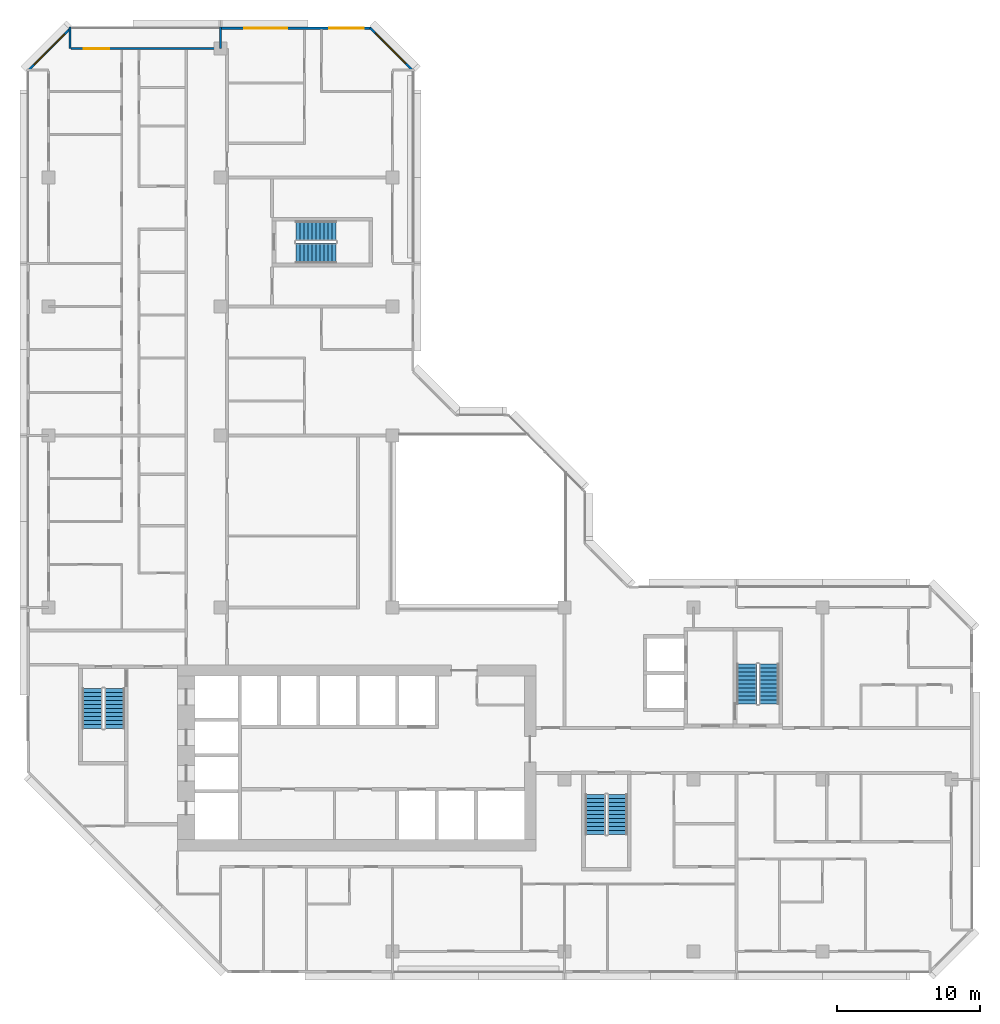
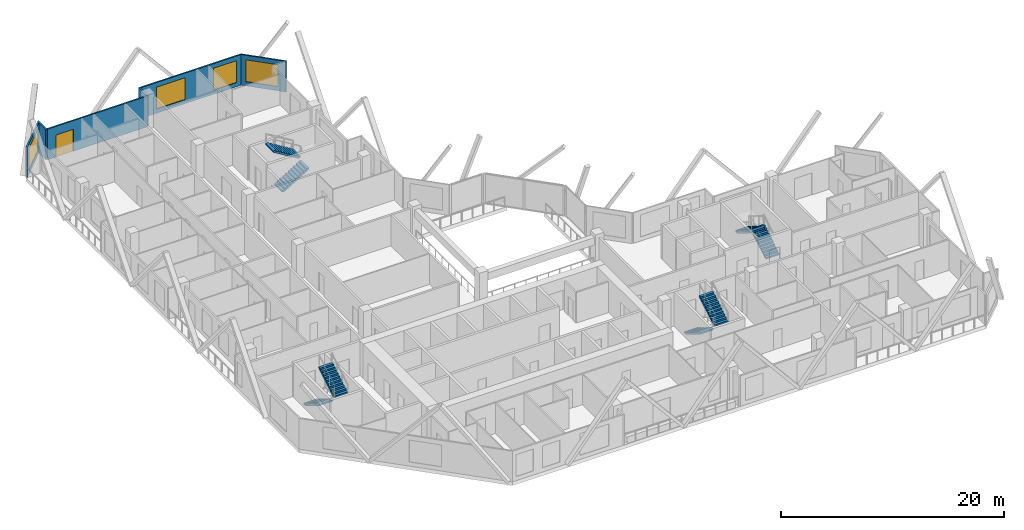
# One storey, part 13 of 15: 8 stair flights, 6 walls, 4 windows, 1 door, 5 openings, 4 elements without a shape of their own.
"""IFC4 building model written with IfcOpenShell, lengths in metres."""

from ifc_helpers import new_model, si_unit, direction, frame, frame_2d, origin, place, context, subcontext, project, spatial, polyline, rectangle, outline, extrude, material, layer, layer_set, type_object, element, fill, aggregate, save


model = new_model("IFC4")

# Units and contexts
model_context = context("Model", 3, precision=1e-05, world=origin(), true_north=direction((0.0, 1.0)))
body_context = subcontext(model_context, "Body", "Model", "MODEL_VIEW")
ifc_project = project(units=[si_unit("LENGTHUNIT", "METRE"), si_unit("AREAUNIT", "SQUARE_METRE"), si_unit("VOLUMEUNIT", "CUBIC_METRE"), si_unit("PLANEANGLEUNIT", "RADIAN"), si_unit("MASSUNIT", "GRAM", prefix="KILO")], contexts=[model_context])

# Site, building, storey
site_placement = place(None, origin())
site = spatial("IfcSite", under=ifc_project, at=site_placement, CompositionType="ELEMENT")
building_placement = place(site_placement, origin())
building = spatial("IfcBuilding", under=site, at=building_placement, Name="Chenar Terraces", CompositionType="ELEMENT")
storey_placement = place(building_placement, frame((0.0, 0.0, 172.39990234375)))
storey = spatial("IfcBuildingStorey", under=building, at=storey_placement, Name="L39", CompositionType="ELEMENT", Elevation=172.39990234375)

# Wall, openings, windows
ifc_material_1 = material(Name="Aluminium framed glazing", Category="aluminium")
ifc_layer_1 = layer(ifc_material_1, 0.14990234375)
ifc_layer_set_1 = layer_set([ifc_layer_1], Name="Aluminium framed glazing")
wall_type_1 = type_object("IfcWallType", Name="Glazed flush facade wall 150", PredefinedType="SOLIDWALL", material=ifc_layer_set_1)
wall_1_placement = place(storey_placement, frame((22.5, 64.425048828125, 0.0), z_axis=(0.0, 0.0, 1.0), x_axis=(-1.0, 0.0, 0.0)))
wall_1 = element("IfcWall", 1, at=wall_1_placement, inside=storey, type_object=wall_type_1, Name="Glazed flush facade wall", PredefinedType="SOLIDWALL", context=body_context, shape_type="SweptSolid", body=[
    extrude(rectangle(XDim=10.425048828125, YDim=0.14990234375, at=frame_2d((5.21240234375, 0.0))), origin(), (0.0, 0.0, 1.0), 3.35009765625),
])
opening_1_placement = place(wall_1_placement, frame((0.52490234375, 0.0, 0.449951171875)))
opening_1 = element("IfcOpeningElement", 2, at=opening_1_placement, cuts=wall_1, Name="Opening W240x240", PredefinedType="OPENING", context=body_context, shape_type="SweptSolid", body=[
    extrude(rectangle(XDim=2.39990234375, YDim=2.39990234375, at=frame_2d((1.199951171875, 1.199951171875))), frame((0.0, 0.0849609375, 0.0), z_axis=(0.0, -1.0, 0.0), x_axis=(1.0, 0.0, 0.0)), (0.0, 0.0, 1.0), 0.169921875),
])
opening_2_placement = place(wall_1_placement, frame((5.85009765625, 0.0, 0.449951171875)))
opening_2 = element("IfcOpeningElement", 3, at=opening_2_placement, cuts=wall_1, Name="Opening W300x240", PredefinedType="OPENING", context=body_context, shape_type="SweptSolid", body=[
    extrude(rectangle(XDim=3.0, YDim=2.39990234375, at=frame_2d((1.5, 1.199951171875))), frame((0.0, 0.0849609375, 0.0), z_axis=(0.0, -1.0, 0.0), x_axis=(1.0, 0.0, 0.0)), (0.0, 0.0, 1.0), 0.169921875),
])
ifc_material_2 = material(Name="Low emissivity double glazing, aluminium frame", Category="aluminium")
window_type_1 = type_object("IfcWindowType", Name="Fixed light 2400 x 2400", PartitioningType="SINGLE_PANEL", PredefinedType="WINDOW", material=ifc_material_2)
window_1_placement = place(opening_1_placement, origin())
window_1 = element("IfcWindow", 4, at=window_1_placement, inside=storey, type_object=window_type_1, Name="Window", OverallHeight=2.39990234375, OverallWidth=2.39990234375, PartitioningType="SINGLE_PANEL", PredefinedType="WINDOW", context=body_context, shape_type="SweptSolid", body=[
    extrude(rectangle(XDim=2.39990234375, YDim=2.39990234375, at=frame_2d((1.199951171875, 1.199951171875))), frame((0.0, 0.030029296875, 0.0), z_axis=(0.0, -1.0, 0.0), x_axis=(1.0, 0.0, 0.0)), (0.0, 0.0, 1.0), 0.06005859375),
])
fill(opening_1, window_1)
ifc_material_3 = material(Name="Low emissivity double glazing, aluminium frame", Category="aluminium")
window_type_2 = type_object("IfcWindowType", Name="Fixed light 3000 x 2400", PartitioningType="SINGLE_PANEL", PredefinedType="WINDOW", material=ifc_material_3)
window_2_placement = place(opening_2_placement, origin())
window_2 = element("IfcWindow", 5, at=window_2_placement, inside=storey, type_object=window_type_2, Name="Window", OverallHeight=2.39990234375, OverallWidth=3.0, PartitioningType="SINGLE_PANEL", PredefinedType="WINDOW", context=body_context, shape_type="SweptSolid", body=[
    extrude(rectangle(XDim=3.0, YDim=2.39990234375, at=frame_2d((1.5, 1.199951171875))), frame((0.0, 0.030029296875, 0.0), z_axis=(0.0, -1.0, 0.0), x_axis=(1.0, 0.0, 0.0)), (0.0, 0.0, 1.0), 0.06005859375),
])
fill(opening_2, window_2)

# Wall, opening, door
ifc_material_4 = material(Name="Aluminium framed glazing", Category="aluminium")
ifc_layer_2 = layer(ifc_material_4, 0.14990234375)
ifc_layer_set_2 = layer_set([ifc_layer_2], Name="Aluminium framed glazing")
wall_type_2 = type_object("IfcWallType", Name="Glazed loggia back wall 150", PredefinedType="SOLIDWALL", material=ifc_layer_set_2)
wall_2_placement = place(storey_placement, frame((11.925048828125, 63.0, 0.0), z_axis=(0.0, 0.0, 1.0), x_axis=(-1.0, 0.0, 0.0)))
wall_2 = element("IfcWall", 6, at=wall_2_placement, inside=storey, type_object=wall_type_2, Name="Glazed loggia back wall", PredefinedType="SOLIDWALL", context=body_context, shape_type="SweptSolid", body=[
    extrude(rectangle(XDim=10.35009765625, YDim=0.14990234375, at=frame_2d((5.175048828125, 0.0))), origin(), (0.0, 0.0, 1.0), 3.35009765625),
])
opening_3_placement = place(wall_2_placement, frame((7.6875, 0.0, 0.0)))
opening_3 = element("IfcOpeningElement", 7, at=opening_3_placement, cuts=wall_2, Name="Opening DL39-G3", PredefinedType="OPENING", context=body_context, shape_type="SweptSolid", body=[
    extrude(rectangle(XDim=1.800048828125, YDim=2.39990234375, at=frame_2d((0.89990234375, 1.199951171875))), frame((0.0, 0.0849609375, 0.0), z_axis=(0.0, -1.0, 0.0), x_axis=(1.0, 0.0, 0.0)), (0.0, 0.0, 1.0), 0.169921875),
])
ifc_material_5 = material(Name="Low emissivity double glazing, aluminium frame", Category="aluminium")
door_type = type_object("IfcDoorType", Name="Loggia glazed double door 1800 x 2400", OperationType="DOUBLE_DOOR_SINGLE_SWING", PredefinedType="DOOR", material=ifc_material_5)
door_placement = place(opening_3_placement, frame((1.800048828125, 0.0, 0.0), z_axis=(0.0, 0.0, 1.0), x_axis=(-1.0, 0.0, 0.0)))
door = element("IfcDoor", 8, at=door_placement, inside=storey, type_object=door_type, Name="Loggia glazed door", OperationType="DOUBLE_DOOR_SINGLE_SWING", OverallHeight=2.39990234375, OverallWidth=1.800048828125, PredefinedType="DOOR", context=body_context, shape_type="SweptSolid", body=[
    extrude(rectangle(XDim=1.800048828125, YDim=2.39990234375, at=frame_2d((0.89990234375, 1.199951171875))), frame((0.0, 0.02490234375, 0.0), z_axis=(0.0, -1.0, 0.0), x_axis=(1.0, 0.0, 0.0)), (0.0, 0.0, 1.0), 0.050048828125),
])
fill(opening_3, door)

# Walls
ifc_material_6 = material(Name="Terracotta cladding on insulated backing", Category="masonry")
ifc_layer_3 = layer(ifc_material_6, 0.14990234375)
ifc_layer_set_3 = layer_set([ifc_layer_3], Name="Terracotta cladding on insulated backing")
wall_type_3 = type_object("IfcWallType", Name="Loggia return wall 150", PredefinedType="SOLIDWALL", material=ifc_layer_set_3)
for number, where, z_axis, x_axis, name in (
    (9, (12.0, 64.5, 0.0), (0.0, 0.0, 1.0), (0.0, -1.0, 0.0), "Loggia return wall"),
    (10, (1.5, 64.5, 0.0), (0.0, 0.0, 1.0), (0.0, -1.0, 0.0), "Loggia return wall"),
):
    element("IfcWall", number, at=place(storey_placement, frame(where, z_axis=z_axis, x_axis=x_axis)), inside=storey, type_object=wall_type_3, Name=name, PredefinedType="SOLIDWALL", context=body_context, shape_type="SweptSolid", body=[
        extrude(rectangle(XDim=1.5, YDim=0.14990234375, at=frame_2d((0.75, 0.0))), origin(), (0.0, 0.0, 1.0), 3.35009765625),
    ])

# Wall, opening, window
ifc_material_7 = material(Name="Terracotta cladding on insulated backing", Category="masonry")
ifc_layer_4 = layer(ifc_material_7, 0.14990234375)
ifc_layer_set_4 = layer_set([ifc_layer_4], Name="Terracotta cladding on insulated backing")
wall_type_4 = type_object("IfcWallType", Name="Terracotta rainscreen wall 150", PredefinedType="SOLIDWALL", material=ifc_layer_set_4)
wall_3_placement = place(storey_placement, frame((25.447021484375, 61.447021484375, 0.0), z_axis=(0.0, 0.0, 1.0), x_axis=(-0.707106781187, 0.707106781187, 0.0)))
wall_3 = element("IfcWall", 11, at=wall_3_placement, inside=storey, type_object=wall_type_4, Name="Terracotta rainscreen wall", PredefinedType="SOLIDWALL", context=body_context, shape_type="SweptSolid", body=[
    extrude(rectangle(XDim=4.24267578125, YDim=0.14990234375, at=frame_2d((2.121337890625, 0.0))), origin(), (0.0, 0.0, 1.0), 3.35009765625),
])
opening_4_placement = place(wall_3_placement, frame((0.744384765625, 0.0, 0.449951171875)))
opening_4 = element("IfcOpeningElement", 12, at=opening_4_placement, cuts=wall_3, Name="Opening W300x240", PredefinedType="OPENING", context=body_context, shape_type="SweptSolid", body=[
    extrude(rectangle(XDim=3.0, YDim=2.39990234375, at=frame_2d((1.5, 1.199951171875))), frame((0.0, 0.0849609375, 0.0), z_axis=(0.0, -1.0, 0.0), x_axis=(1.0, 0.0, 0.0)), (0.0, 0.0, 1.0), 0.169921875),
])
window_3_placement = place(opening_4_placement, origin())
window_3 = element("IfcWindow", 13, at=window_3_placement, inside=storey, type_object=window_type_2, Name="Window", OverallHeight=2.39990234375, OverallWidth=3.0, PartitioningType="SINGLE_PANEL", PredefinedType="WINDOW", context=body_context, shape_type="SweptSolid", body=[
    extrude(rectangle(XDim=3.0, YDim=2.39990234375, at=frame_2d((1.5, 1.199951171875))), frame((0.0, 0.030029296875, 0.0), z_axis=(0.0, -1.0, 0.0), x_axis=(1.0, 0.0, 0.0)), (0.0, 0.0, 1.0), 0.06005859375),
])
fill(opening_4, window_3)

wall_4_placement = place(storey_placement, frame((1.552978515625, 64.447021484375, 0.0), z_axis=(0.0, 0.0, 1.0), x_axis=(-0.707106781187, -0.707106781187, 0.0)))
wall_4 = element("IfcWall", 14, at=wall_4_placement, inside=storey, type_object=wall_type_4, Name="Terracotta rainscreen wall", PredefinedType="SOLIDWALL", context=body_context, shape_type="SweptSolid", body=[
    extrude(rectangle(XDim=4.24267578125, YDim=0.14990234375, at=frame_2d((2.121337890625, 0.0))), origin(), (0.0, 0.0, 1.0), 3.35009765625),
])
opening_5_placement = place(wall_4_placement, frame((0.621337890625, 0.0, 0.449951171875)))
opening_5 = element("IfcOpeningElement", 15, at=opening_5_placement, cuts=wall_4, Name="Opening W300x240", PredefinedType="OPENING", context=body_context, shape_type="SweptSolid", body=[
    extrude(rectangle(XDim=3.0, YDim=2.39990234375, at=frame_2d((1.5, 1.199951171875))), frame((0.0, 0.0849609375, 0.0), z_axis=(0.0, -1.0, 0.0), x_axis=(1.0, 0.0, 0.0)), (0.0, 0.0, 1.0), 0.169921875),
])
window_4_placement = place(opening_5_placement, origin())
window_4 = element("IfcWindow", 16, at=window_4_placement, inside=storey, type_object=window_type_2, Name="Window", OverallHeight=2.39990234375, OverallWidth=3.0, PartitioningType="SINGLE_PANEL", PredefinedType="WINDOW", context=body_context, shape_type="SweptSolid", body=[
    extrude(rectangle(XDim=3.0, YDim=2.39990234375, at=frame_2d((1.5, 1.199951171875))), frame((0.0, 0.030029296875, 0.0), z_axis=(0.0, -1.0, 0.0), x_axis=(1.0, 0.0, 0.0)), (0.0, 0.0, 1.0), 0.06005859375),
])
fill(opening_5, window_4)

# Stair, stair flights
ifc_material_8 = material(Name="Reinforced concrete C40/50", Category="concrete")
stair_type = type_object("IfcStairType", Name="Core stair 1400 half-turn", PredefinedType="HALF_TURN_STAIR", material=ifc_material_8)
placement = place(storey_placement, origin())
stair_1 = element("IfcStair", 17, at=placement, inside=storey, type_object=stair_type, Name="L39 Stair 1", PredefinedType="HALF_TURN_STAIR")
ifc_material_9 = material(Name="Reinforced concrete C40/50", Category="concrete")
stair_flight_type = type_object("IfcStairFlightType", Name="Core stair flight 1400", PredefinedType="STRAIGHT", material=ifc_material_9)
stair_flight_1_placement = place(storey_placement, frame((3.050048828125, 18.35009765625, 0.0), z_axis=(0.0, 0.0, 1.0), x_axis=(0.0, -1.0, 0.0)))
stair_flight_1 = element("IfcStairFlight", 18, at=stair_flight_1_placement, type_object=stair_flight_type, Name="ST1 flight 1", NumberOfRisers=11, NumberOfTreads=10, PredefinedType="STRAIGHT", RiserHeight=0.170454545, TreadLength=0.28, context=body_context, shape_type="SweptSolid", body=[
    extrude(outline(polyline([(-0.0029296875, 0.0), (-0.0029296875, 0.17041015625), (0.0, 0.17041015625), (0.280029296875, 0.17041015625), (0.280029296875, 0.3408203125), (0.56005859375, 0.3408203125), (0.56005859375, 0.511474609375), (0.840087890625, 0.511474609375), (0.840087890625, 0.681884765625), (1.1201171875, 0.681884765625), (1.1201171875, 0.852294921875), (1.39990234375, 0.852294921875), (1.39990234375, 1.022705078125), (1.679931640625, 1.022705078125), (1.679931640625, 1.193115234375), (1.9599609375, 1.193115234375), (1.9599609375, 1.363525390625), (2.239990234375, 1.363525390625), (2.239990234375, 1.5341796875), (2.52001953125, 1.5341796875), (2.52001953125, 1.70458984375), (2.800048828125, 1.70458984375), (2.802978515625, 1.70458984375), (2.802978515625, 1.529052734375), (2.800048828125, 1.529052734375), (0.288330078125, 0.0), (-0.0029296875, 0.0)])), frame((0.0, 0.699951171875, 0.0), z_axis=(0.0, -1.0, 0.0), x_axis=(1.0, 0.0, 0.0)), (0.0, 0.0, 1.0), 1.39990234375),
])
stair_flight_2_placement = place(storey_placement, frame((4.60009765625, 15.550048828125, 1.875), z_axis=(0.0, 0.0, 1.0), x_axis=(0.0, 1.0, 0.0)))
stair_flight_2 = element("IfcStairFlight", 19, at=stair_flight_2_placement, type_object=stair_flight_type, Name="ST1 flight 2", NumberOfRisers=11, NumberOfTreads=10, PredefinedType="STRAIGHT", RiserHeight=0.170454545, TreadLength=0.28, context=body_context, shape_type="SweptSolid", body=[
    extrude(outline(polyline([(-0.0029296875, 0.0), (-0.0029296875, 0.17041015625), (0.0, 0.17041015625), (0.280029296875, 0.17041015625), (0.280029296875, 0.3408203125), (0.56005859375, 0.3408203125), (0.56005859375, 0.511474609375), (0.840087890625, 0.511474609375), (0.840087890625, 0.681884765625), (1.1201171875, 0.681884765625), (1.1201171875, 0.852294921875), (1.39990234375, 0.852294921875), (1.39990234375, 1.022705078125), (1.679931640625, 1.022705078125), (1.679931640625, 1.193115234375), (1.9599609375, 1.193115234375), (1.9599609375, 1.363525390625), (2.239990234375, 1.363525390625), (2.239990234375, 1.5341796875), (2.52001953125, 1.5341796875), (2.52001953125, 1.70458984375), (2.800048828125, 1.70458984375), (2.802978515625, 1.70458984375), (2.802978515625, 1.529052734375), (2.800048828125, 1.529052734375), (0.288330078125, 0.0), (-0.0029296875, 0.0)])), frame((0.0, 0.699951171875, 0.0), z_axis=(0.0, -1.0, 0.0), x_axis=(1.0, 0.0, 0.0)), (0.0, 0.0, 1.0), 1.39990234375),
])
aggregate(stair_1, [stair_flight_1, stair_flight_2])

stair_2 = element("IfcStair", 20, at=placement, inside=storey, type_object=stair_type, Name="L39 Stair 2", PredefinedType="HALF_TURN_STAIR")
stair_flight_3_placement = place(storey_placement, frame((38.14990234375, 10.949951171875, 0.0), z_axis=(0.0, 0.0, 1.0), x_axis=(0.0, -1.0, 0.0)))
stair_flight_3 = element("IfcStairFlight", 21, at=stair_flight_3_placement, type_object=stair_flight_type, Name="ST2 flight 1", NumberOfRisers=11, NumberOfTreads=10, PredefinedType="STRAIGHT", RiserHeight=0.170454545, TreadLength=0.28, context=body_context, shape_type="SweptSolid", body=[
    extrude(outline(polyline([(-0.0029296875, 0.0), (-0.0029296875, 0.17041015625), (0.0, 0.17041015625), (0.280029296875, 0.17041015625), (0.280029296875, 0.3408203125), (0.56005859375, 0.3408203125), (0.56005859375, 0.511474609375), (0.840087890625, 0.511474609375), (0.840087890625, 0.681884765625), (1.1201171875, 0.681884765625), (1.1201171875, 0.852294921875), (1.39990234375, 0.852294921875), (1.39990234375, 1.022705078125), (1.679931640625, 1.022705078125), (1.679931640625, 1.193115234375), (1.9599609375, 1.193115234375), (1.9599609375, 1.363525390625), (2.239990234375, 1.363525390625), (2.239990234375, 1.5341796875), (2.52001953125, 1.5341796875), (2.52001953125, 1.70458984375), (2.800048828125, 1.70458984375), (2.802978515625, 1.70458984375), (2.802978515625, 1.529052734375), (2.800048828125, 1.529052734375), (0.288330078125, 0.0), (-0.0029296875, 0.0)])), frame((0.0, 0.699951171875, 0.0), z_axis=(0.0, -1.0, 0.0), x_axis=(1.0, 0.0, 0.0)), (0.0, 0.0, 1.0), 1.39990234375),
])
stair_flight_4_placement = place(storey_placement, frame((39.699951171875, 8.14990234375, 1.875), z_axis=(0.0, 0.0, 1.0), x_axis=(0.0, 1.0, 0.0)))
stair_flight_4 = element("IfcStairFlight", 22, at=stair_flight_4_placement, type_object=stair_flight_type, Name="ST2 flight 2", NumberOfRisers=11, NumberOfTreads=10, PredefinedType="STRAIGHT", RiserHeight=0.170454545, TreadLength=0.28, context=body_context, shape_type="SweptSolid", body=[
    extrude(outline(polyline([(-0.0029296875, 0.0), (-0.0029296875, 0.17041015625), (0.0, 0.17041015625), (0.280029296875, 0.17041015625), (0.280029296875, 0.3408203125), (0.56005859375, 0.3408203125), (0.56005859375, 0.511474609375), (0.840087890625, 0.511474609375), (0.840087890625, 0.681884765625), (1.1201171875, 0.681884765625), (1.1201171875, 0.852294921875), (1.39990234375, 0.852294921875), (1.39990234375, 1.022705078125), (1.679931640625, 1.022705078125), (1.679931640625, 1.193115234375), (1.9599609375, 1.193115234375), (1.9599609375, 1.363525390625), (2.239990234375, 1.363525390625), (2.239990234375, 1.5341796875), (2.52001953125, 1.5341796875), (2.52001953125, 1.70458984375), (2.800048828125, 1.70458984375), (2.802978515625, 1.70458984375), (2.802978515625, 1.529052734375), (2.800048828125, 1.529052734375), (0.288330078125, 0.0), (-0.0029296875, 0.0)])), frame((0.0, 0.699951171875, 0.0), z_axis=(0.0, -1.0, 0.0), x_axis=(1.0, 0.0, 0.0)), (0.0, 0.0, 1.0), 1.39990234375),
])
aggregate(stair_2, [stair_flight_3, stair_flight_4])

stair_3 = element("IfcStair", 23, at=placement, inside=storey, type_object=stair_type, Name="L39 Stair 3", PredefinedType="HALF_TURN_STAIR")
stair_flight_5_placement = place(storey_placement, frame((50.27490234375, 17.25, 0.0), z_axis=(0.0, 0.0, 1.0), x_axis=(0.0, 1.0, 0.0)))
stair_flight_5 = element("IfcStairFlight", 24, at=stair_flight_5_placement, type_object=stair_flight_type, Name="ST3 flight 1", NumberOfRisers=11, NumberOfTreads=10, PredefinedType="STRAIGHT", RiserHeight=0.170454545, TreadLength=0.28, context=body_context, shape_type="SweptSolid", body=[
    extrude(outline(polyline([(-0.0029296875, 0.0), (-0.0029296875, 0.17041015625), (0.0, 0.17041015625), (0.280029296875, 0.17041015625), (0.280029296875, 0.3408203125), (0.56005859375, 0.3408203125), (0.56005859375, 0.511474609375), (0.840087890625, 0.511474609375), (0.840087890625, 0.681884765625), (1.1201171875, 0.681884765625), (1.1201171875, 0.852294921875), (1.39990234375, 0.852294921875), (1.39990234375, 1.022705078125), (1.679931640625, 1.022705078125), (1.679931640625, 1.193115234375), (1.9599609375, 1.193115234375), (1.9599609375, 1.363525390625), (2.239990234375, 1.363525390625), (2.239990234375, 1.5341796875), (2.52001953125, 1.5341796875), (2.52001953125, 1.70458984375), (2.800048828125, 1.70458984375), (2.802978515625, 1.70458984375), (2.802978515625, 1.529052734375), (2.800048828125, 1.529052734375), (0.288330078125, 0.0), (-0.0029296875, 0.0)])), frame((0.0, 0.699951171875, 0.0), z_axis=(0.0, -1.0, 0.0), x_axis=(1.0, 0.0, 0.0)), (0.0, 0.0, 1.0), 1.39990234375),
])
stair_flight_6_placement = place(storey_placement, frame((48.72509765625, 20.050048828125, 1.875), z_axis=(0.0, 0.0, 1.0), x_axis=(0.0, -1.0, 0.0)))
stair_flight_6 = element("IfcStairFlight", 25, at=stair_flight_6_placement, type_object=stair_flight_type, Name="ST3 flight 2", NumberOfRisers=11, NumberOfTreads=10, PredefinedType="STRAIGHT", RiserHeight=0.170454545, TreadLength=0.28, context=body_context, shape_type="SweptSolid", body=[
    extrude(outline(polyline([(-0.0029296875, 0.0), (-0.0029296875, 0.17041015625), (0.0, 0.17041015625), (0.280029296875, 0.17041015625), (0.280029296875, 0.3408203125), (0.56005859375, 0.3408203125), (0.56005859375, 0.511474609375), (0.840087890625, 0.511474609375), (0.840087890625, 0.681884765625), (1.1201171875, 0.681884765625), (1.1201171875, 0.852294921875), (1.39990234375, 0.852294921875), (1.39990234375, 1.022705078125), (1.679931640625, 1.022705078125), (1.679931640625, 1.193115234375), (1.9599609375, 1.193115234375), (1.9599609375, 1.363525390625), (2.239990234375, 1.363525390625), (2.239990234375, 1.5341796875), (2.52001953125, 1.5341796875), (2.52001953125, 1.70458984375), (2.800048828125, 1.70458984375), (2.802978515625, 1.70458984375), (2.802978515625, 1.529052734375), (2.800048828125, 1.529052734375), (0.288330078125, 0.0), (-0.0029296875, 0.0)])), frame((0.0, 0.699951171875, 0.0), z_axis=(0.0, -1.0, 0.0), x_axis=(1.0, 0.0, 0.0)), (0.0, 0.0, 1.0), 1.39990234375),
])
aggregate(stair_3, [stair_flight_5, stair_flight_6])

stair_4 = element("IfcStair", 26, at=placement, inside=storey, type_object=stair_type, Name="L39 Stair 4", PredefinedType="HALF_TURN_STAIR")
stair_flight_7_placement = place(storey_placement, frame((17.25, 48.72509765625, 0.0), z_axis=(0.0, 0.0, 1.0), x_axis=(1.0, 0.0, 0.0)))
stair_flight_7 = element("IfcStairFlight", 27, at=stair_flight_7_placement, type_object=stair_flight_type, Name="ST4 flight 1", NumberOfRisers=11, NumberOfTreads=10, PredefinedType="STRAIGHT", RiserHeight=0.170454545, TreadLength=0.28, context=body_context, shape_type="SweptSolid", body=[
    extrude(outline(polyline([(-0.0029296875, 0.0), (-0.0029296875, 0.17041015625), (0.0, 0.17041015625), (0.280029296875, 0.17041015625), (0.280029296875, 0.3408203125), (0.56005859375, 0.3408203125), (0.56005859375, 0.511474609375), (0.840087890625, 0.511474609375), (0.840087890625, 0.681884765625), (1.1201171875, 0.681884765625), (1.1201171875, 0.852294921875), (1.39990234375, 0.852294921875), (1.39990234375, 1.022705078125), (1.679931640625, 1.022705078125), (1.679931640625, 1.193115234375), (1.9599609375, 1.193115234375), (1.9599609375, 1.363525390625), (2.239990234375, 1.363525390625), (2.239990234375, 1.5341796875), (2.52001953125, 1.5341796875), (2.52001953125, 1.70458984375), (2.800048828125, 1.70458984375), (2.802978515625, 1.70458984375), (2.802978515625, 1.529052734375), (2.800048828125, 1.529052734375), (0.288330078125, 0.0), (-0.0029296875, 0.0)])), frame((0.0, 0.699951171875, 0.0), z_axis=(0.0, -1.0, 0.0), x_axis=(1.0, 0.0, 0.0)), (0.0, 0.0, 1.0), 1.39990234375),
])
stair_flight_8_placement = place(storey_placement, frame((20.050048828125, 50.27490234375, 1.875), z_axis=(0.0, 0.0, 1.0), x_axis=(-1.0, 0.0, 0.0)))
stair_flight_8 = element("IfcStairFlight", 28, at=stair_flight_8_placement, type_object=stair_flight_type, Name="ST4 flight 2", NumberOfRisers=11, NumberOfTreads=10, PredefinedType="STRAIGHT", RiserHeight=0.170454545, TreadLength=0.28, context=body_context, shape_type="SweptSolid", body=[
    extrude(outline(polyline([(-0.0029296875, 0.0), (-0.0029296875, 0.17041015625), (0.0, 0.17041015625), (0.280029296875, 0.17041015625), (0.280029296875, 0.3408203125), (0.56005859375, 0.3408203125), (0.56005859375, 0.511474609375), (0.840087890625, 0.511474609375), (0.840087890625, 0.681884765625), (1.1201171875, 0.681884765625), (1.1201171875, 0.852294921875), (1.39990234375, 0.852294921875), (1.39990234375, 1.022705078125), (1.679931640625, 1.022705078125), (1.679931640625, 1.193115234375), (1.9599609375, 1.193115234375), (1.9599609375, 1.363525390625), (2.239990234375, 1.363525390625), (2.239990234375, 1.5341796875), (2.52001953125, 1.5341796875), (2.52001953125, 1.70458984375), (2.800048828125, 1.70458984375), (2.802978515625, 1.70458984375), (2.802978515625, 1.529052734375), (2.800048828125, 1.529052734375), (0.288330078125, 0.0), (-0.0029296875, 0.0)])), frame((0.0, 0.699951171875, 0.0), z_axis=(0.0, -1.0, 0.0), x_axis=(1.0, 0.0, 0.0)), (0.0, 0.0, 1.0), 1.39990234375),
])
aggregate(stair_4, [stair_flight_7, stair_flight_8])

save(model, "model.ifc")
